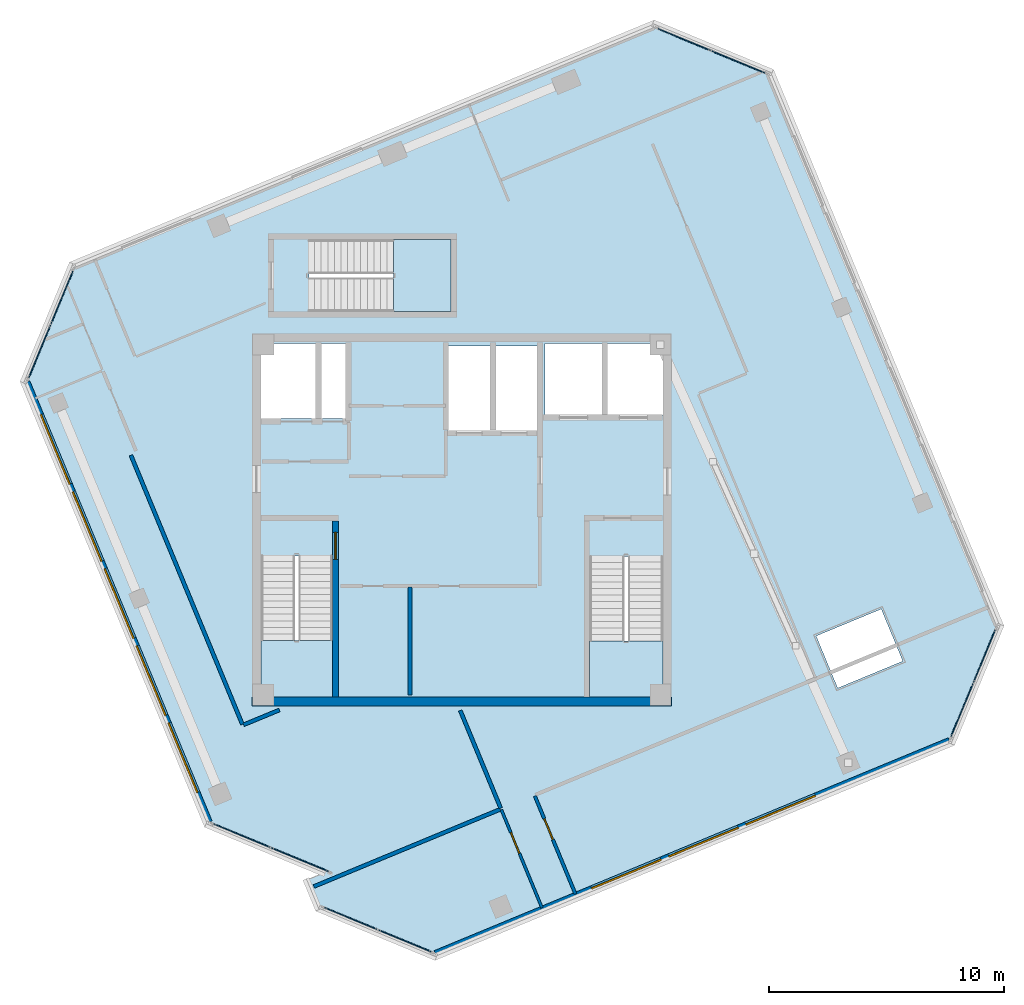
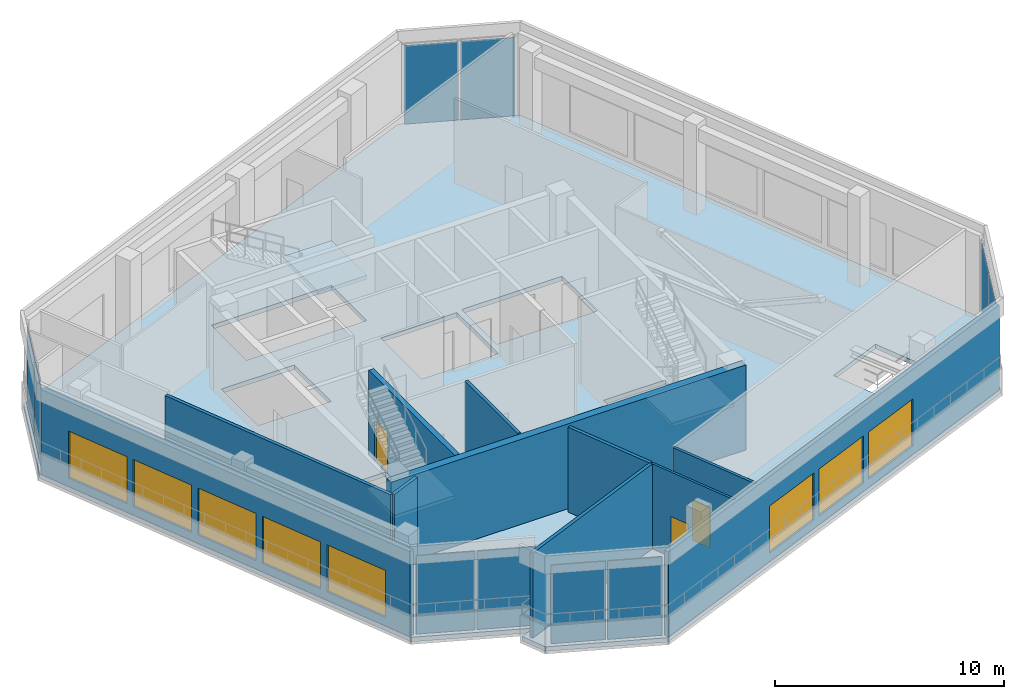
# One storey, part 8 of 17: 11 walls, 10 plates, 8 windows, 4 slabs, 3 doors, 11 openings, 8 elements without a shape of their own.
"""IFC4 building model written with IfcOpenShell, lengths in metres."""

from ifc_helpers import new_model, si_unit, direction, frame, frame_2d, origin, origin_2d, place, context, subcontext, project, spatial, polyline, rectangle, outline, extrude, source, transform, mapped, material, layer, layer_set, type_object, element, fill, aggregate, save


model = new_model("IFC4")

# Units and contexts
model_context = context("Model", 3, precision=1e-05, world=origin(), true_north=direction((0.0, 1.0)))
body_context = subcontext(model_context, "Body", "Model", "MODEL_VIEW")
ifc_project = project(units=[si_unit("LENGTHUNIT", "METRE"), si_unit("AREAUNIT", "SQUARE_METRE"), si_unit("VOLUMEUNIT", "CUBIC_METRE"), si_unit("PLANEANGLEUNIT", "RADIAN"), si_unit("MASSUNIT", "GRAM", prefix="KILO")], contexts=[model_context])

# Site, building, storey
site_placement = place(None, origin())
site = spatial("IfcSite", under=ifc_project, at=site_placement, CompositionType="ELEMENT")
building_placement = place(site_placement, origin())
building = spatial("IfcBuilding", under=site, at=building_placement, Name="Torre Montelarca", CompositionType="ELEMENT")
storey_placement = place(building_placement, frame((0.0, 0.0, 355.199951171875)))
storey = spatial("IfcBuildingStorey", under=building, at=storey_placement, Name="L80", CompositionType="ELEMENT", Elevation=355.199951171875)

# Slab
ifc_material_1 = material(Name="Concrete C40/50", Category="concrete")
ifc_layer_1 = layer(ifc_material_1, 0.239990234375, Name="Concrete C40/50", Category="concrete")
ifc_layer_set_1 = layer_set([ifc_layer_1], Name="Concrete C40/50")
slab_type_1 = type_object("IfcSlabType", Name="SL-FLR-240", PredefinedType="FLOOR", material=ifc_layer_set_1)
slab_1_placement = place(storey_placement, frame((0.0, 0.0, -0.239990234375)))
element("IfcSlab", 1, at=slab_1_placement, inside=storey, type_object=slab_type_1, Name="L80 Structural Floor Slab", PredefinedType="FLOOR", context=body_context, shape_type="SweptSolid", body=[
    extrude(outline(polyline([(7.1728515625, 19.02978515625), (12.1376953125, 16.973388671875), (11.398681640625, 16.667236328125), (11.896240234375, 15.46630859375), (16.861083984375, 13.40966796875), (38.849365234375, 22.517578125), (40.906005859375, 27.482421875), (31.1474609375, 51.04150390625), (26.1826171875, 53.097900390625), (1.422607421875, 42.842041015625), (-0.6337890625, 37.877197265625), (7.1728515625, 19.02978515625)]), holes=[polyline([(36.764404296875, 25.9833984375), (33.99267578125, 24.83544921875), (33.07421875, 27.052734375), (35.845947265625, 28.20068359375), (36.764404296875, 25.9833984375)]), polyline([(23.43994140625, 24.449951171875), (23.43994140625, 30.429931640625), (26.550048828125, 30.429931640625), (26.550048828125, 24.449951171875), (23.43994140625, 24.449951171875)]), polyline([(9.449951171875, 24.449951171875), (9.449951171875, 30.4599609375), (12.5, 30.4599609375), (12.5, 24.449951171875), (9.449951171875, 24.449951171875)]), polyline([(21.25, 35.800048828125), (17.39990234375, 35.800048828125), (17.39990234375, 39.39990234375), (21.25, 39.39990234375), (21.25, 35.800048828125)]), polyline([(13.1201171875, 36.300048828125), (9.449951171875, 36.300048828125), (9.449951171875, 39.5), (13.1201171875, 39.5), (13.1201171875, 36.300048828125)]), polyline([(26.60009765625, 36.449951171875), (21.550048828125, 36.449951171875), (21.550048828125, 39.5), (26.60009765625, 39.5), (26.60009765625, 36.449951171875)]), polyline([(17.550048828125, 40.85009765625), (11.5, 40.85009765625), (11.5, 43.919921875), (17.550048828125, 43.919921875), (17.550048828125, 40.85009765625)])]), origin(), (0.0, 0.0, 1.0), 0.239990234375),
])

# Stair, slab
stair_type_1 = type_object("IfcStairType", Name="ST-CORE-ST1", PredefinedType="HALF_TURN_STAIR", material=ifc_material_1)
stair_1_placement = place(storey_placement, origin())
stair_1 = element("IfcStair", 2, at=stair_1_placement, inside=storey, type_object=stair_type_1, Name="L80 Protected Exit Stair ST1", PredefinedType="HALF_TURN_STAIR")
ifc_layer_2 = layer(ifc_material_1, 0.199951171875, Name="Concrete C40/50", Category="concrete")
ifc_layer_set_2 = layer_set([ifc_layer_2], Name="Concrete C40/50")
slab_type_2 = type_object("IfcSlabType", Name="SL-ST-LAND-ST1", PredefinedType="LANDING", material=ifc_layer_set_2)
slab_2_placement = place(storey_placement, frame((0.0, 0.0, 2.199951171875)))
slab_2 = element("IfcSlab", 3, at=slab_2_placement, type_object=slab_type_2, Name="ST1 landing 1", PredefinedType="LANDING", context=body_context, shape_type="SweptSolid", body=[
    extrude(outline(polyline([(9.449951171875, 26.860107421875), (9.449951171875, 24.449951171875), (12.5, 24.449951171875), (12.5, 26.860107421875), (9.449951171875, 26.860107421875)])), origin(), (0.0, 0.0, 1.0), 0.2001953125),
])
aggregate(stair_1, [slab_2])

stair_type_2 = type_object("IfcStairType", Name="ST-CORE-ST2", PredefinedType="HALF_TURN_STAIR", material=ifc_material_1)
stair_2_placement = place(storey_placement, origin())
stair_2 = element("IfcStair", 4, at=stair_2_placement, inside=storey, type_object=stair_type_2, Name="L80 Protected Exit Stair ST2", PredefinedType="HALF_TURN_STAIR")
ifc_layer_3 = layer(ifc_material_1, 0.199951171875, Name="Concrete C40/50", Category="concrete")
ifc_layer_set_3 = layer_set([ifc_layer_3], Name="Concrete C40/50")
slab_type_3 = type_object("IfcSlabType", Name="SL-ST-LAND-ST2", PredefinedType="LANDING", material=ifc_layer_set_3)
slab_3_placement = place(storey_placement, frame((0.0, 0.0, 2.199951171875)))
slab_3 = element("IfcSlab", 5, at=slab_3_placement, type_object=slab_type_3, Name="ST2 landing 1", PredefinedType="LANDING", context=body_context, shape_type="SweptSolid", body=[
    extrude(outline(polyline([(23.43994140625, 26.830078125), (23.43994140625, 24.449951171875), (26.550048828125, 24.449951171875), (26.550048828125, 26.830078125), (23.43994140625, 26.830078125)])), origin(), (0.0, 0.0, 1.0), 0.2001953125),
])
aggregate(stair_2, [slab_3])

stair_type_3 = type_object("IfcStairType", Name="ST-CORE-ST5", PredefinedType="HALF_TURN_STAIR", material=ifc_material_1)
stair_3_placement = place(storey_placement, origin())
stair_3 = element("IfcStair", 6, at=stair_3_placement, inside=storey, type_object=stair_type_3, Name="L80 Crown Observatory Feature Stair ST5", PredefinedType="HALF_TURN_STAIR")
ifc_layer_4 = layer(ifc_material_1, 0.199951171875, Name="Concrete C40/50", Category="concrete")
ifc_layer_set_4 = layer_set([ifc_layer_4], Name="Concrete C40/50")
slab_type_4 = type_object("IfcSlabType", Name="SL-ST-LAND-ST5", PredefinedType="LANDING", material=ifc_layer_set_4)
slab_4_placement = place(storey_placement, frame((0.0, 0.0, 2.199951171875)))
slab_4 = element("IfcSlab", 7, at=slab_4_placement, type_object=slab_type_4, Name="ST5 landing 1", PredefinedType="LANDING", context=body_context, shape_type="SweptSolid", body=[
    extrude(outline(polyline([(15.10009765625, 40.85009765625), (17.550048828125, 40.85009765625), (17.550048828125, 43.919921875), (15.10009765625, 43.919921875), (15.10009765625, 40.85009765625)])), origin(), (0.0, 0.0, 1.0), 0.2001953125),
])
aggregate(stair_3, [slab_4])

# Curtain wall, plates
ifc_material_2 = material(Name="Amber translucent laminated glass", Category="glass")
curtain_wall_type = type_object("IfcCurtainWallType", Name="CW-SYS-LANT", PredefinedType="USERDEFINED", material=ifc_material_2)
curtain_wall_1_placement = place(storey_placement, origin())
curtain_wall_1 = element("IfcCurtainWall", 8, at=curtain_wall_1_placement, inside=storey, type_object=curtain_wall_type, Name="L80 Curtain Wall Run CW-T3-L80-E02-B1", ObjectType="TRANSLUCENT LANTERN", PredefinedType="USERDEFINED")
ifc_layer_5 = layer(ifc_material_2, 0.0400390625, Name="Amber translucent laminated glass", Category="glass")
ifc_layer_set_5 = layer_set([ifc_layer_5], Name="Amber translucent laminated glass")
plate_type = type_object("IfcPlateType", Name="CWP-LANT-40", PredefinedType="CURTAIN_PANEL", material=ifc_layer_set_5)
shared_shape_1 = source(origin(), body_context, "Body", "SweptSolid", [
    extrude(rectangle(XDim=2.5849609375, YDim=0.0400390625, at=origin_2d()), origin(), (0.0, 0.0, 1.0), 4.169921875),
])
plate_1_placement = place(storey_placement, frame((8.643798828125, 18.561279296875, 0.0751953125), z_axis=(0.0, 0.0, 1.0), x_axis=(0.923887520149, -0.382664147931, 0.0)))
plate_1 = element("IfcPlate", 9, at=plate_1_placement, type_object=plate_type, Name="CW panel 1.1", PredefinedType="CURTAIN_PANEL", context=body_context, shape_type="MappedRepresentation", body=[
    mapped(shared_shape_1, transform((0.0, 0.0, 0.0), scale=1.0)),
])
plate_2_placement = place(storey_placement, frame((11.10595703125, 17.54150390625, 0.0751953125), z_axis=(0.0, 0.0, 1.0), x_axis=(0.923887520149, -0.382664147931, 0.0)))
plate_2 = element("IfcPlate", 10, at=plate_2_placement, type_object=plate_type, Name="CW panel 2.1", PredefinedType="CURTAIN_PANEL", context=body_context, shape_type="MappedRepresentation", body=[
    mapped(shared_shape_1, transform((0.0, 0.0, 0.0), scale=1.0)),
])
aggregate(curtain_wall_1, [plate_1, plate_2])

curtain_wall_2_placement = place(storey_placement, origin())
curtain_wall_2 = element("IfcCurtainWall", 11, at=curtain_wall_2_placement, inside=storey, type_object=curtain_wall_type, Name="L80 Curtain Wall Run CW-T3-L80-E05-B1", ObjectType="TRANSLUCENT LANTERN", PredefinedType="USERDEFINED")
shared_shape_2 = source(origin(), body_context, "Body", "SweptSolid", [
    extrude(rectangle(XDim=2.401123046875, YDim=0.0400390625, at=origin_2d()), origin(), (0.0, 0.0, 1.0), 4.169921875),
])
plate_3_placement = place(storey_placement, frame((13.2822265625, 15.03271484375, 0.0751953125), z_axis=(0.0, 0.0, 1.0), x_axis=(0.923884613184, -0.382671166306, 0.0)))
plate_3 = element("IfcPlate", 12, at=plate_3_placement, type_object=plate_type, Name="CW panel 1.1", PredefinedType="CURTAIN_PANEL", context=body_context, shape_type="MappedRepresentation", body=[
    mapped(shared_shape_2, transform((0.0, 0.0, 0.0), scale=1.0)),
])
plate_4_placement = place(storey_placement, frame((15.574462890625, 14.083251953125, 0.0751953125), z_axis=(0.0, 0.0, 1.0), x_axis=(0.923884613184, -0.382671166306, 0.0)))
plate_4 = element("IfcPlate", 13, at=plate_4_placement, type_object=plate_type, Name="CW panel 2.1", PredefinedType="CURTAIN_PANEL", context=body_context, shape_type="MappedRepresentation", body=[
    mapped(shared_shape_2, transform((0.0, 0.0, 0.0), scale=1.0)),
])
aggregate(curtain_wall_2, [plate_3, plate_4])

curtain_wall_3_placement = place(storey_placement, origin())
curtain_wall_3 = element("IfcCurtainWall", 14, at=curtain_wall_3_placement, inside=storey, type_object=curtain_wall_type, Name="L80 Curtain Wall Run CW-T3-L80-E07-B1", ObjectType="TRANSLUCENT LANTERN", PredefinedType="USERDEFINED")
plate_5_placement = place(storey_placement, frame((39.282958984375, 23.903564453125, 0.0751953125), z_axis=(0.0, 0.0, 1.0), x_axis=(0.382681082731, 0.923880505758, 0.0)))
plate_5 = element("IfcPlate", 15, at=plate_5_placement, type_object=plate_type, Name="CW panel 1.1", PredefinedType="CURTAIN_PANEL", context=body_context, shape_type="MappedRepresentation", body=[
    mapped(shared_shape_2, transform((0.0, 0.0, 0.0), scale=1.0)),
])
plate_6_placement = place(storey_placement, frame((40.232421875, 26.19580078125, 0.0751953125), z_axis=(0.0, 0.0, 1.0), x_axis=(0.382681082731, 0.923880505758, 0.0)))
plate_6 = element("IfcPlate", 16, at=plate_6_placement, type_object=plate_type, Name="CW panel 2.1", PredefinedType="CURTAIN_PANEL", context=body_context, shape_type="MappedRepresentation", body=[
    mapped(shared_shape_2, transform((0.0, 0.0, 0.0), scale=1.0)),
])
aggregate(curtain_wall_3, [plate_5, plate_6])

curtain_wall_4_placement = place(storey_placement, origin())
curtain_wall_4 = element("IfcCurtainWall", 17, at=curtain_wall_4_placement, inside=storey, type_object=curtain_wall_type, Name="L80 Curtain Wall Run CW-T3-L80-E09-B1", ObjectType="TRANSLUCENT LANTERN", PredefinedType="USERDEFINED")
plate_7_placement = place(storey_placement, frame((29.761474609375, 51.474853515625, 0.0751953125), z_axis=(0.0, 0.0, 1.0), x_axis=(-0.923884613184, 0.382671166306, 0.0)))
plate_7 = element("IfcPlate", 18, at=plate_7_placement, type_object=plate_type, Name="CW panel 1.1", PredefinedType="CURTAIN_PANEL", context=body_context, shape_type="MappedRepresentation", body=[
    mapped(shared_shape_2, transform((0.0, 0.0, 0.0), scale=1.0)),
])
plate_8_placement = place(storey_placement, frame((27.46923828125, 52.42431640625, 0.0751953125), z_axis=(0.0, 0.0, 1.0), x_axis=(-0.923884613184, 0.382671166306, 0.0)))
plate_8 = element("IfcPlate", 19, at=plate_8_placement, type_object=plate_type, Name="CW panel 2.1", PredefinedType="CURTAIN_PANEL", context=body_context, shape_type="MappedRepresentation", body=[
    mapped(shared_shape_2, transform((0.0, 0.0, 0.0), scale=1.0)),
])
aggregate(curtain_wall_4, [plate_7, plate_8])

curtain_wall_5_placement = place(storey_placement, origin())
curtain_wall_5 = element("IfcCurtainWall", 20, at=curtain_wall_5_placement, inside=storey, type_object=curtain_wall_type, Name="L80 Curtain Wall Run CW-T3-L80-E11-B1", ObjectType="TRANSLUCENT LANTERN", PredefinedType="USERDEFINED")
plate_9_placement = place(storey_placement, frame((0.9892578125, 41.455810546875, 0.0751953125), z_axis=(0.0, 0.0, 1.0), x_axis=(-0.382671166306, -0.923884613184, 0.0)))
plate_9 = element("IfcPlate", 21, at=plate_9_placement, type_object=plate_type, Name="CW panel 1.1", PredefinedType="CURTAIN_PANEL", context=body_context, shape_type="MappedRepresentation", body=[
    mapped(shared_shape_2, transform((0.0, 0.0, 0.0), scale=1.0)),
])
plate_10_placement = place(storey_placement, frame((0.039794921875, 39.16357421875, 0.0751953125), z_axis=(0.0, 0.0, 1.0), x_axis=(-0.382671166306, -0.923884613184, 0.0)))
plate_10 = element("IfcPlate", 22, at=plate_10_placement, type_object=plate_type, Name="CW panel 2.1", PredefinedType="CURTAIN_PANEL", context=body_context, shape_type="MappedRepresentation", body=[
    mapped(shared_shape_2, transform((0.0, 0.0, 0.0), scale=1.0)),
])
aggregate(curtain_wall_5, [plate_9, plate_10])

# Wall, opening, door
ifc_layer_6 = layer(ifc_material_1, 0.25, Name="Concrete C40/50", Category="concrete")
ifc_layer_set_6 = layer_set([ifc_layer_6], Name="Concrete C40/50")
wall_type_1 = type_object("IfcWallType", Name="CW-SHAFT-250", PredefinedType="SHEAR", material=ifc_layer_set_6)
wall_1_placement = place(storey_placement, frame((12.625, 24.4599609375, 0.0), z_axis=(0.0, 0.0, 1.0), x_axis=(0.0, 1.0, 0.0)))
wall_1 = element("IfcWall", 23, at=wall_1_placement, inside=storey, type_object=wall_type_1, Name="L80 Core Shear Wall SH-ST1-E", PredefinedType="SHEAR", context=body_context, shape_type="SweptSolid", body=[
    extrude(rectangle(XDim=7.489990234375, YDim=0.25, at=frame_2d((3.7451171875, 0.0))), origin(), (0.0, 0.0, 1.0), 4.52001953125),
])
opening_1_placement = place(wall_1_placement, frame((5.85009765625, 0.0, 0.0)))
opening_1 = element("IfcOpeningElement", 24, at=opening_1_placement, cuts=wall_1, Name="Opening FD-ST1", PredefinedType="OPENING", context=body_context, shape_type="SweptSolid", body=[
    extrude(rectangle(XDim=1.14990234375, YDim=2.199951171875, at=frame_2d((0.574951171875, 1.10009765625))), frame((0.0, 0.135009765625, 0.0), z_axis=(0.0, -1.0, 0.0), x_axis=(1.0, 0.0, 0.0)), (0.0, 0.0, 1.0), 0.27001953125),
])
ifc_material_3 = material(Name="Galvanized steel fire door", Category="steel")
door_type_1 = type_object("IfcDoorType", Name="DR-STAIR-115", OperationType="NOTDEFINED", PredefinedType="DOOR", material=ifc_material_3)
shared_shape_3 = source(origin(), body_context, "Body", "SweptSolid", [
    extrude(rectangle(XDim=1.14990234375, YDim=2.199951171875, at=frame_2d((0.574951171875, 1.10009765625))), frame((0.0, 0.02490234375, 0.0), z_axis=(0.0, -1.0, 0.0), x_axis=(1.0, 0.0, 0.0)), (0.0, 0.0, 1.0), 0.050048828125),
])
door_1_placement = place(opening_1_placement, origin())
door_1 = element("IfcDoor", 25, at=door_1_placement, inside=storey, type_object=door_type_1, Name="L80 Exit Stair ST1 Fire Door", OperationType="SINGLE_SWING_RIGHT", OverallHeight=2.199951171875, OverallWidth=1.14990234375, PredefinedType="DOOR", context=body_context, shape_type="MappedRepresentation", body=[
    mapped(shared_shape_3, transform((0.0, 0.0, 0.0), scale=1.0)),
])
fill(opening_1, door_1)

# Wall
ifc_layer_7 = layer(ifc_material_1, 0.3798828125, Name="Concrete C40/50", Category="concrete")
ifc_layer_set_7 = layer_set([ifc_layer_7], Name="Concrete C40/50")
wall_type_2 = type_object("IfcWallType", Name="CW-SHEAR-380", PredefinedType="SHEAR", material=ifc_layer_set_7)
wall_2_placement = place(storey_placement, frame((9.070068359375, 24.260009765625, 0.0), z_axis=(0.0, 0.0, 1.0), x_axis=(1.0, 0.0, 0.0)))
element("IfcWall", 26, at=wall_2_placement, inside=storey, type_object=wall_type_2, Name="L80 Core Shear Wall CW-S1", PredefinedType="SHEAR", context=body_context, shape_type="SweptSolid", body=[
    extrude(rectangle(XDim=17.85986328125, YDim=0.3798828125, at=frame_2d((8.929931640625, 0.0))), origin(), (0.0, 0.0, 1.0), 4.52001953125),
])

# Wall, openings, windows
ifc_material_4 = material(Name="Architectural perforated terracotta ceramic", Category="masonry")
ifc_layer_8 = layer(ifc_material_4, 0.239990234375, Name="Architectural perforated terracotta ceramic", Category="masonry")
ifc_layer_set_8 = layer_set([ifc_layer_8], Name="Architectural perforated terracotta ceramic")
wall_type_3 = type_object("IfcWallType", Name="EW-CROWN-240", PredefinedType="SOLIDWALL", material=ifc_layer_set_8)
wall_3_placement = place(storey_placement, frame((-0.488525390625, 37.865966796875, 0.0), z_axis=(0.0, 0.0, 1.0), x_axis=(0.382671297852, -0.923884558698, 0.0)))
wall_3 = element("IfcWall", 27, at=wall_3_placement, inside=storey, type_object=wall_type_3, Name="L80 Illuminated Damper Gallery Lantern Wall E01", PredefinedType="SOLIDWALL", context=body_context, shape_type="SweptSolid", body=[
    extrude(rectangle(XDim=20.268310546875, YDim=0.239990234375, at=frame_2d((10.13427734375, 0.0))), origin(), (0.0, 0.0, 1.0), 4.52001953125),
])
opening_2_placement = place(wall_3_placement, frame((1.513916015625, 0.0, 0.449951171875)))
opening_2 = element("IfcOpeningElement", 28, at=opening_2_placement, cuts=wall_3, Name="Opening W-07", PredefinedType="OPENING", context=body_context, shape_type="SweptSolid", body=[
    extrude(rectangle(XDim=3.199951171875, YDim=2.5, at=frame_2d((1.60009765625, 1.25))), frame((0.0, 0.1298828125, 0.0), z_axis=(0.0, -1.0, 0.0), x_axis=(1.0, 0.0, 0.0)), (0.0, 0.0, 1.0), 0.260009765625),
])
opening_3_placement = place(wall_3_placement, frame((5.06396484375, 0.0, 0.449951171875)))
opening_3 = element("IfcOpeningElement", 29, at=opening_3_placement, cuts=wall_3, Name="Opening W-07", PredefinedType="OPENING", context=body_context, shape_type="SweptSolid", body=[
    extrude(rectangle(XDim=3.199951171875, YDim=2.5, at=frame_2d((1.60009765625, 1.25))), frame((0.0, 0.1298828125, 0.0), z_axis=(0.0, -1.0, 0.0), x_axis=(1.0, 0.0, 0.0)), (0.0, 0.0, 1.0), 0.260009765625),
])
opening_4_placement = place(wall_3_placement, frame((8.614013671875, 0.0, 0.449951171875)))
opening_4 = element("IfcOpeningElement", 30, at=opening_4_placement, cuts=wall_3, Name="Opening W-07", PredefinedType="OPENING", context=body_context, shape_type="SweptSolid", body=[
    extrude(rectangle(XDim=3.199951171875, YDim=2.5, at=frame_2d((1.60009765625, 1.25))), frame((0.0, 0.1298828125, 0.0), z_axis=(0.0, -1.0, 0.0), x_axis=(1.0, 0.0, 0.0)), (0.0, 0.0, 1.0), 0.260009765625),
])
opening_5_placement = place(wall_3_placement, frame((12.1640625, 0.0, 0.449951171875)))
opening_5 = element("IfcOpeningElement", 31, at=opening_5_placement, cuts=wall_3, Name="Opening W-07", PredefinedType="OPENING", context=body_context, shape_type="SweptSolid", body=[
    extrude(rectangle(XDim=3.199951171875, YDim=2.5, at=frame_2d((1.60009765625, 1.25))), frame((0.0, 0.1298828125, 0.0), z_axis=(0.0, -1.0, 0.0), x_axis=(1.0, 0.0, 0.0)), (0.0, 0.0, 1.0), 0.260009765625),
])
opening_6_placement = place(wall_3_placement, frame((15.714111328125, 0.0, 0.449951171875)))
opening_6 = element("IfcOpeningElement", 32, at=opening_6_placement, cuts=wall_3, Name="Opening W-07", PredefinedType="OPENING", context=body_context, shape_type="SweptSolid", body=[
    extrude(rectangle(XDim=3.199951171875, YDim=2.5, at=frame_2d((1.60009765625, 1.25))), frame((0.0, 0.1298828125, 0.0), z_axis=(0.0, -1.0, 0.0), x_axis=(1.0, 0.0, 0.0)), (0.0, 0.0, 1.0), 0.260009765625),
])
ifc_material_5 = material(Name="Insulated low-E laminated glass in aluminium frame", Category="aluminium")
window_type = type_object("IfcWindowType", Name="WIN-W07", PartitioningType="TRIPLE_PANEL_VERTICAL", PredefinedType="WINDOW", material=ifc_material_5)
shared_shape_4 = source(origin(), body_context, "Body", "SweptSolid", [
    extrude(rectangle(XDim=3.199951171875, YDim=2.5, at=frame_2d((1.60009765625, 1.25))), frame((0.0, 0.030029296875, 0.0), z_axis=(0.0, -1.0, 0.0), x_axis=(1.0, 0.0, 0.0)), (0.0, 0.0, 1.0), 0.06005859375),
])
window_1_placement = place(opening_2_placement, origin())
window_1 = element("IfcWindow", 33, at=window_1_placement, inside=storey, type_object=window_type, Name="L80 Glowing Damper Lantern Ribbon Window E01-1", OverallHeight=2.5, OverallWidth=3.199951171875, PartitioningType="TRIPLE_PANEL_VERTICAL", PredefinedType="WINDOW", context=body_context, shape_type="MappedRepresentation", body=[
    mapped(shared_shape_4, transform((0.0, 0.0, 0.0), scale=1.0)),
])
fill(opening_2, window_1)
window_2_placement = place(opening_3_placement, origin())
window_2 = element("IfcWindow", 34, at=window_2_placement, inside=storey, type_object=window_type, Name="L80 Glowing Damper Lantern Ribbon Window E01-2", OverallHeight=2.5, OverallWidth=3.199951171875, PartitioningType="TRIPLE_PANEL_VERTICAL", PredefinedType="WINDOW", context=body_context, shape_type="MappedRepresentation", body=[
    mapped(shared_shape_4, transform((0.0, 0.0, 0.0), scale=1.0)),
])
fill(opening_3, window_2)
window_3_placement = place(opening_4_placement, origin())
window_3 = element("IfcWindow", 35, at=window_3_placement, inside=storey, type_object=window_type, Name="L80 Glowing Damper Lantern Ribbon Window E01-3", OverallHeight=2.5, OverallWidth=3.199951171875, PartitioningType="TRIPLE_PANEL_VERTICAL", PredefinedType="WINDOW", context=body_context, shape_type="MappedRepresentation", body=[
    mapped(shared_shape_4, transform((0.0, 0.0, 0.0), scale=1.0)),
])
fill(opening_4, window_3)
window_4_placement = place(opening_5_placement, origin())
window_4 = element("IfcWindow", 36, at=window_4_placement, inside=storey, type_object=window_type, Name="L80 Glowing Damper Lantern Ribbon Window E01-4", OverallHeight=2.5, OverallWidth=3.199951171875, PartitioningType="TRIPLE_PANEL_VERTICAL", PredefinedType="WINDOW", context=body_context, shape_type="MappedRepresentation", body=[
    mapped(shared_shape_4, transform((0.0, 0.0, 0.0), scale=1.0)),
])
fill(opening_5, window_4)
window_5_placement = place(opening_6_placement, origin())
window_5 = element("IfcWindow", 37, at=window_5_placement, inside=storey, type_object=window_type, Name="L80 Glowing Damper Lantern Ribbon Window E01-5", OverallHeight=2.5, OverallWidth=3.199951171875, PartitioningType="TRIPLE_PANEL_VERTICAL", PredefinedType="WINDOW", context=body_context, shape_type="MappedRepresentation", body=[
    mapped(shared_shape_4, transform((0.0, 0.0, 0.0), scale=1.0)),
])
fill(opening_6, window_5)

wall_4_placement = place(storey_placement, frame((16.872314453125, 13.554931640625, 0.0), z_axis=(0.0, 0.0, 1.0), x_axis=(0.923879670053, 0.38268310031, 0.0)))
wall_4 = element("IfcWall", 38, at=wall_4_placement, inside=storey, type_object=wall_type_3, Name="L80 Illuminated Damper Gallery Lantern Wall E06", PredefinedType="SOLIDWALL", context=body_context, shape_type="SweptSolid", body=[
    extrude(rectangle(XDim=23.66796875, YDim=0.239990234375, at=frame_2d((11.833984375, 0.0))), origin(), (0.0, 0.0, 1.0), 4.52001953125),
])
opening_7_placement = place(wall_4_placement, frame((7.2041015625, 0.0, 0.449951171875)))
opening_7 = element("IfcOpeningElement", 39, at=opening_7_placement, cuts=wall_4, Name="Opening W-07", PredefinedType="OPENING", context=body_context, shape_type="SweptSolid", body=[
    extrude(rectangle(XDim=3.199951171875, YDim=2.5, at=frame_2d((1.60009765625, 1.25))), frame((0.0, 0.1298828125, 0.0), z_axis=(0.0, -1.0, 0.0), x_axis=(1.0, 0.0, 0.0)), (0.0, 0.0, 1.0), 0.260009765625),
])
opening_8_placement = place(wall_4_placement, frame((10.75390625, 0.0, 0.449951171875)))
opening_8 = element("IfcOpeningElement", 40, at=opening_8_placement, cuts=wall_4, Name="Opening W-07", PredefinedType="OPENING", context=body_context, shape_type="SweptSolid", body=[
    extrude(rectangle(XDim=3.199951171875, YDim=2.5, at=frame_2d((1.60009765625, 1.25))), frame((0.0, 0.1298828125, 0.0), z_axis=(0.0, -1.0, 0.0), x_axis=(1.0, 0.0, 0.0)), (0.0, 0.0, 1.0), 0.260009765625),
])
opening_9_placement = place(wall_4_placement, frame((14.303955078125, 0.0, 0.449951171875)))
opening_9 = element("IfcOpeningElement", 41, at=opening_9_placement, cuts=wall_4, Name="Opening W-07", PredefinedType="OPENING", context=body_context, shape_type="SweptSolid", body=[
    extrude(rectangle(XDim=3.199951171875, YDim=2.5, at=frame_2d((1.60009765625, 1.25))), frame((0.0, 0.1298828125, 0.0), z_axis=(0.0, -1.0, 0.0), x_axis=(1.0, 0.0, 0.0)), (0.0, 0.0, 1.0), 0.260009765625),
])
window_6_placement = place(opening_7_placement, origin())
window_6 = element("IfcWindow", 42, at=window_6_placement, inside=storey, type_object=window_type, Name="L80 Glowing Damper Lantern Ribbon Window E06-1", OverallHeight=2.5, OverallWidth=3.199951171875, PartitioningType="TRIPLE_PANEL_VERTICAL", PredefinedType="WINDOW", context=body_context, shape_type="MappedRepresentation", body=[
    mapped(shared_shape_4, transform((0.0, 0.0, 0.0), scale=1.0)),
])
fill(opening_7, window_6)
window_7_placement = place(opening_8_placement, origin())
window_7 = element("IfcWindow", 43, at=window_7_placement, inside=storey, type_object=window_type, Name="L80 Glowing Damper Lantern Ribbon Window E06-2", OverallHeight=2.5, OverallWidth=3.199951171875, PartitioningType="TRIPLE_PANEL_VERTICAL", PredefinedType="WINDOW", context=body_context, shape_type="MappedRepresentation", body=[
    mapped(shared_shape_4, transform((0.0, 0.0, 0.0), scale=1.0)),
])
fill(opening_8, window_7)
window_8_placement = place(opening_9_placement, origin())
window_8 = element("IfcWindow", 44, at=window_8_placement, inside=storey, type_object=window_type, Name="L80 Glowing Damper Lantern Ribbon Window E06-3", OverallHeight=2.5, OverallWidth=3.199951171875, PartitioningType="TRIPLE_PANEL_VERTICAL", PredefinedType="WINDOW", context=body_context, shape_type="MappedRepresentation", body=[
    mapped(shared_shape_4, transform((0.0, 0.0, 0.0), scale=1.0)),
])
fill(opening_9, window_8)

# Walls
ifc_material_6 = material(Name="Gypsum plasterboard on steel stud", Category="steel")
ifc_layer_9 = layer(ifc_material_6, 0.159912109375, Name="Gypsum plasterboard on steel stud", Category="steel")
ifc_layer_set_9 = layer_set([ifc_layer_9], Name="Gypsum plasterboard on steel stud")
wall_type_4 = type_object("IfcWallType", Name="PW-FIRE-160", PredefinedType="PARTITIONING", material=ifc_layer_set_9)
wall_5_placement = place(storey_placement, frame((15.800048828125, 24.5400390625, 0.0), z_axis=(0.0, 0.0, 1.0), x_axis=(0.0, 1.0, 0.0)))
element("IfcWall", 45, at=wall_5_placement, inside=storey, type_object=wall_type_4, Name="L80 Interior Partition CW-L80-FRD1", PredefinedType="PARTITIONING", context=body_context, shape_type="SweptSolid", body=[
    extrude(rectangle(XDim=4.599853515625, YDim=0.159912109375, at=frame_2d((2.2998046875, 0.0))), origin(), (0.0, 0.0, 1.0), 4.52001953125),
])
wall_6_placement = place(storey_placement, frame((3.922607421875, 34.7421875, 0.0), z_axis=(0.0, 0.0, 1.0), x_axis=(0.382686508818, -0.923878258197, 0.0)))
element("IfcWall", 46, at=wall_6_placement, inside=storey, type_object=wall_type_4, Name="L80 Interior Partition W-L80-SOCCN2", PredefinedType="PARTITIONING", context=body_context, shape_type="SweptSolid", body=[
    extrude(rectangle(XDim=12.389892578125, YDim=0.159912109375, at=frame_2d((6.19482421875, 0.0))), origin(), (0.0, 0.0, 1.0), 4.52001953125),
])
wall_7_placement = place(storey_placement, frame((8.71630859375, 23.273681640625, 0.0), z_axis=(0.0, 0.0, 1.0), x_axis=(0.92386344226, 0.382722275359, 0.0)))
element("IfcWall", 47, at=wall_7_placement, inside=storey, type_object=wall_type_4, Name="L80 Interior Partition W-L80-SOCCW3", PredefinedType="PARTITIONING", context=body_context, shape_type="SweptSolid", body=[
    extrude(rectangle(XDim=1.64892578125, YDim=0.159912109375, at=frame_2d((0.824462890625, 0.0))), origin(), (0.0, 0.0, 1.0), 4.52001953125),
])
wall_8_placement = place(storey_placement, frame((17.934814453125, 23.883056640625, 0.0), z_axis=(0.0, 0.0, 1.0), x_axis=(0.382674767732, -0.923883121472, 0.0)))
element("IfcWall", 48, at=wall_8_placement, inside=storey, type_object=wall_type_4, Name="L80 Interior Partition W-L80-SOCCN3", PredefinedType="PARTITIONING", context=body_context, shape_type="SweptSolid", body=[
    extrude(rectangle(XDim=4.495361328125, YDim=0.159912109375, at=frame_2d((2.24755859375, 0.0))), origin(), (0.0, 0.0, 1.0), 4.52001953125),
])
wall_9_placement = place(storey_placement, frame((11.70654296875, 16.394287109375, 0.0), z_axis=(0.0, 0.0, 1.0), x_axis=(0.923876372956, 0.382691060117, 0.0)))
element("IfcWall", 49, at=wall_9_placement, inside=storey, type_object=wall_type_4, Name="L80 Interior Partition W-L80-ECS", PredefinedType="PARTITIONING", context=body_context, shape_type="SweptSolid", body=[
    extrude(rectangle(XDim=8.579833984375, YDim=0.159912109375, at=frame_2d((4.2900390625, 0.0))), origin(), (0.0, 0.0, 1.0), 4.52001953125),
])

# Wall, opening, door
ifc_layer_10 = layer(ifc_material_6, 0.114990234375, Name="Gypsum plasterboard on steel stud", Category="steel")
ifc_layer_set_10 = layer_set([ifc_layer_10], Name="Gypsum plasterboard on steel stud")
wall_type_5 = type_object("IfcWallType", Name="PW-PART-115", PredefinedType="PARTITIONING", material=ifc_layer_set_10)
wall_10_placement = place(storey_placement, frame((19.685791015625, 19.656005859375, 0.0), z_axis=(0.0, 0.0, 1.0), x_axis=(0.382684880723, -0.923878932581, 0.0)))
wall_10 = element("IfcWall", 50, at=wall_10_placement, inside=storey, type_object=wall_type_5, Name="L80 Interior Partition W-L80-SE-N", PredefinedType="PARTITIONING", context=body_context, shape_type="SweptSolid", body=[
    extrude(rectangle(XDim=4.509765625, YDim=0.114990234375, at=frame_2d((2.2548828125, 0.0))), origin(), (0.0, 0.0, 1.0), 4.52001953125),
])
opening_10_placement = place(wall_10_placement, frame((1.050048828125, 0.0, 0.0)))
opening_10 = element("IfcOpeningElement", 51, at=opening_10_placement, cuts=wall_10, Name="Opening ID-095", PredefinedType="OPENING", context=body_context, shape_type="SweptSolid", body=[
    extrude(rectangle(XDim=0.949951171875, YDim=2.14990234375, at=frame_2d((0.47509765625, 1.074951171875))), frame((0.0, 0.0673828125, 0.0), z_axis=(0.0, -1.0, 0.0), x_axis=(1.0, 0.0, 0.0)), (0.0, 0.0, 1.0), 0.135009765625),
])
ifc_material_7 = material(Name="Hardwood acoustic timber veneer", Category="wood")
door_type_2 = type_object("IfcDoorType", Name="DR-INT-095", OperationType="NOTDEFINED", PredefinedType="DOOR", material=ifc_material_7)
shared_shape_5 = source(origin(), body_context, "Body", "SweptSolid", [
    extrude(rectangle(XDim=0.949951171875, YDim=2.14990234375, at=frame_2d((0.47509765625, 1.074951171875))), frame((0.0, 0.02490234375, 0.0), z_axis=(0.0, -1.0, 0.0), x_axis=(1.0, 0.0, 0.0)), (0.0, 0.0, 1.0), 0.050048828125),
])
door_2_placement = place(opening_10_placement, origin())
door_2 = element("IfcDoor", 52, at=door_2_placement, inside=storey, type_object=door_type_2, Name="L80 Interior Door 13", OperationType="SINGLE_SWING_LEFT", OverallHeight=2.14990234375, OverallWidth=0.949951171875, PredefinedType="DOOR", context=body_context, shape_type="MappedRepresentation", body=[
    mapped(shared_shape_5, transform((0.0, 0.0, 0.0), scale=1.0)),
])
fill(opening_10, door_2)

ifc_layer_11 = layer(ifc_material_6, 0.135009765625, Name="Gypsum plasterboard on steel stud", Category="steel")
ifc_layer_set_11 = layer_set([ifc_layer_11], Name="Gypsum plasterboard on steel stud")
wall_type_6 = type_object("IfcWallType", Name="PW-PART-135", PredefinedType="PARTITIONING", material=ifc_layer_set_11)
wall_11_placement = place(storey_placement, frame((21.1083984375, 20.245361328125, 0.0), z_axis=(0.0, 0.0, 1.0), x_axis=(0.382731086891, -0.923859791921, 0.0)))
wall_11 = element("IfcWall", 53, at=wall_11_placement, inside=storey, type_object=wall_type_6, Name="L80 Interior Partition W-L80-NE-S", PredefinedType="PARTITIONING", context=body_context, shape_type="SweptSolid", body=[
    extrude(rectangle(XDim=4.509765625, YDim=0.135009765625, at=frame_2d((2.2548828125, 0.0))), origin(), (0.0, 0.0, 1.0), 4.52001953125),
])
opening_11_placement = place(wall_11_placement, frame((1.050048828125, 0.0, 0.0)))
opening_11 = element("IfcOpeningElement", 54, at=opening_11_placement, cuts=wall_11, Name="Opening ID-095", PredefinedType="OPENING", context=body_context, shape_type="SweptSolid", body=[
    extrude(rectangle(XDim=0.949951171875, YDim=2.14990234375, at=frame_2d((0.47509765625, 1.074951171875))), frame((0.0, 0.07763671875, 0.0), z_axis=(0.0, -1.0, 0.0), x_axis=(1.0, 0.0, 0.0)), (0.0, 0.0, 1.0), 0.155029296875),
])
door_3_placement = place(opening_11_placement, origin())
door_3 = element("IfcDoor", 55, at=door_3_placement, inside=storey, type_object=door_type_2, Name="L80 Interior Door 12", OperationType="SINGLE_SWING_LEFT", OverallHeight=2.14990234375, OverallWidth=0.949951171875, PredefinedType="DOOR", context=body_context, shape_type="MappedRepresentation", body=[
    mapped(shared_shape_5, transform((0.0, 0.0, 0.0), scale=1.0)),
])
fill(opening_11, door_3)

save(model, "model.ifc")
